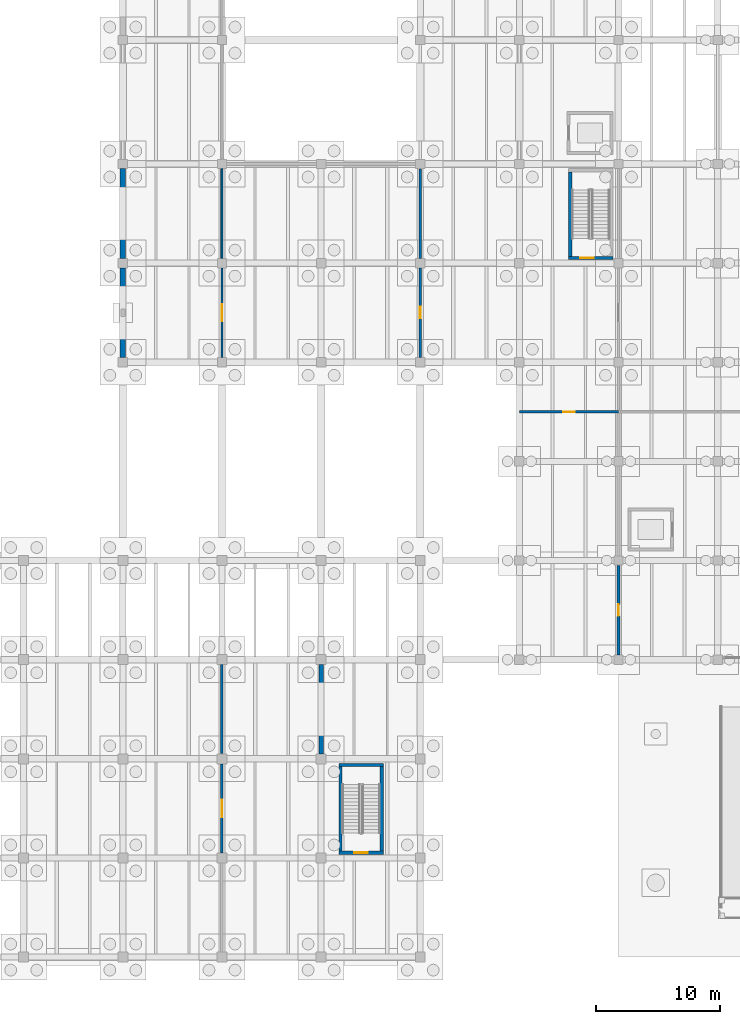
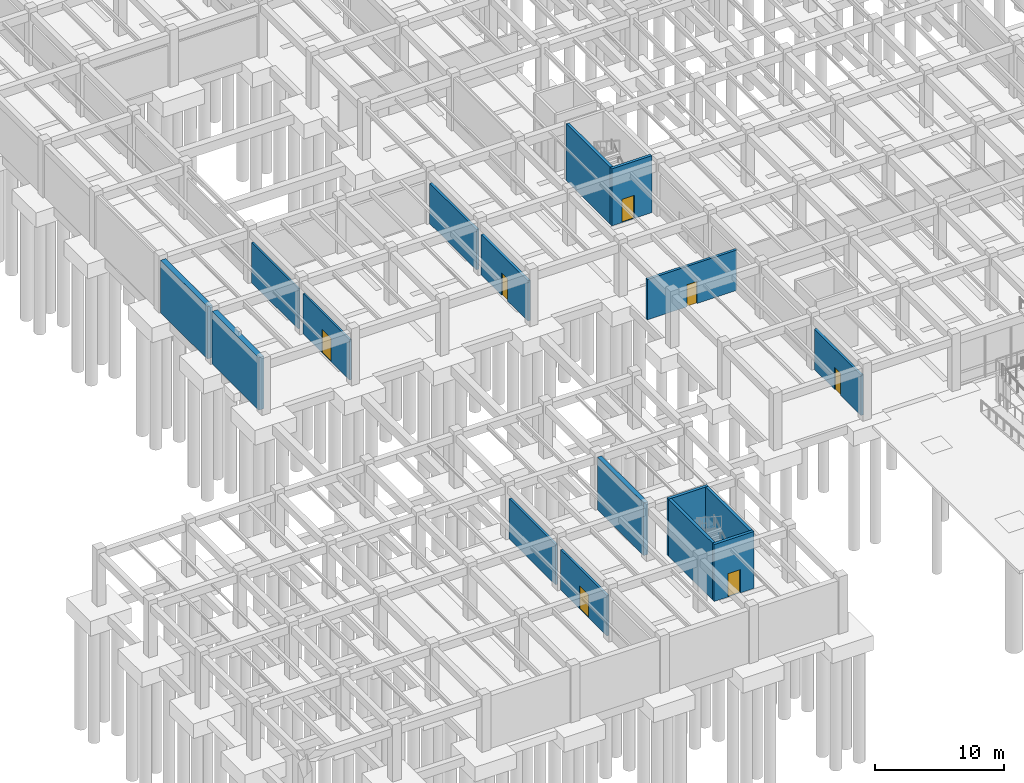
# One storey, part 24 of 44: 17 walls, 7 doors, 7 openings.
"""IFC4 building model written with IfcOpenShell, lengths in metres."""

from ifc_helpers import new_model, si_unit, direction, frame, frame_2d, origin, place, context, subcontext, project, spatial, rectangle, extrude, material, layer, layer_set, type_object, element, fill, save


model = new_model("IFC4")

# Units and contexts
model_context = context("Model", 3, precision=1e-05, world=origin(), true_north=direction((0.0, 1.0)))
body_context = subcontext(model_context, "Body", "Model", "MODEL_VIEW")
ifc_project = project(units=[si_unit("LENGTHUNIT", "METRE"), si_unit("AREAUNIT", "SQUARE_METRE"), si_unit("VOLUMEUNIT", "CUBIC_METRE"), si_unit("PLANEANGLEUNIT", "RADIAN"), si_unit("MASSUNIT", "GRAM", prefix="KILO")], contexts=[model_context])

# Site, building, storey
site_placement = place(None, origin())
site = spatial("IfcSite", under=ifc_project, at=site_placement, CompositionType="ELEMENT")
building_placement = place(site_placement, origin())
building = spatial("IfcBuilding", under=site, at=building_placement, Name="Pecanmere Concourse Central Library", CompositionType="ELEMENT")
storey_placement = place(building_placement, frame((0.0, 0.0, -5.39990234375)))
storey = spatial("IfcBuildingStorey", under=building, at=storey_placement, Name="B1", CompositionType="ELEMENT", Elevation=-5.39990234375)

# Wall, opening, door
ifc_material_1 = material(Name="Fire-rated gypsum board on acoustic steel stud", Category="steel")
ifc_layer_1 = layer(ifc_material_1, 0.159912109375, Name="IW_PART_160")
ifc_layer_set_1 = layer_set([ifc_layer_1], Name="Fire-rated gypsum board on acoustic steel stud")
wall_type_1 = type_object("IfcWallType", Name="IW_PART_160", PredefinedType="PARTITIONING", material=ifc_layer_set_1)
wall_1_placement = place(storey_placement, frame((32.0, 48.385009765625, 0.0), z_axis=(0.0, 0.0, 1.0), x_axis=(0.0, 1.0, 0.0)))
wall_1 = element("IfcWall", 1, at=wall_1_placement, inside=storey, type_object=wall_type_1, Name="Interior Partition B1-0010", PredefinedType="PARTITIONING", context=body_context, shape_type="SweptSolid", body=[
    extrude(rectangle(XDim=7.22998046875, YDim=0.159912109375, at=frame_2d((3.614990234375, 0.0))), origin(), (0.0, 0.0, 1.0), 3.829833984375),
])
opening_1_placement = place(wall_1_placement, frame((2.9150390625, 0.0, 0.0)))
opening_1 = element("IfcOpeningElement", 2, at=opening_1_placement, cuts=wall_1, Name="Opening FD-05", PredefinedType="OPENING", context=body_context, shape_type="SweptSolid", body=[
    extrude(rectangle(XDim=1.39990234375, YDim=2.199951171875, at=frame_2d((0.699951171875, 1.10009765625))), frame((0.0, 0.091796875, 0.0), z_axis=(0.0, -1.0, 0.0), x_axis=(1.0, 0.0, 0.0)), (0.0, 0.0, 1.0), 0.183837890625),
])
ifc_material_2 = material(Name="Painted architectural steel ASTM A36", Category="steel")
door_type_1 = type_object("IfcDoorType", Name="FD-05", OperationType="DOUBLE_DOOR_SINGLE_SWING", PredefinedType="DOOR", material=ifc_material_2)
door_1_placement = place(opening_1_placement, origin())
door_1 = element("IfcDoor", 3, at=door_1_placement, inside=storey, type_object=door_type_1, Name="D-130", OperationType="DOUBLE_DOOR_SINGLE_SWING", OverallHeight=2.199951171875, OverallWidth=1.39990234375, PredefinedType="DOOR", context=body_context, shape_type="SweptSolid", body=[
    extrude(rectangle(XDim=1.39990234375, YDim=2.199951171875, at=frame_2d((0.699951171875, 1.10009765625))), frame((0.0, 0.02490234375, 0.0), z_axis=(0.0, -1.0, 0.0), x_axis=(1.0, 0.0, 0.0)), (0.0, 0.0, 1.0), 0.050048828125),
])
fill(opening_1, door_1)

# Wall
wall_2_placement = place(storey_placement, frame((32.0, 56.385009765625, 0.0), z_axis=(0.0, 0.0, 1.0), x_axis=(0.0, 1.0, 0.0)))
element("IfcWall", 4, at=wall_2_placement, inside=storey, type_object=wall_type_1, Name="Interior Partition B1-0011", PredefinedType="PARTITIONING", context=body_context, shape_type="SweptSolid", body=[
    extrude(rectangle(XDim=7.22998046875, YDim=0.159912109375, at=frame_2d((3.614990234375, 0.0))), origin(), (0.0, 0.0, 1.0), 3.829833984375),
])

# Wall, opening, door
ifc_material_3 = material(Name="Fire-rated gypsum board on acoustic steel stud", Category="steel")
ifc_layer_2 = layer(ifc_material_3, 0.199951171875, Name="IW_PART_200")
ifc_layer_set_2 = layer_set([ifc_layer_2], Name="Fire-rated gypsum board on acoustic steel stud")
wall_type_2 = type_object("IfcWallType", Name="IW_PART_200", PredefinedType="PARTITIONING", material=ifc_layer_set_2)
wall_3_placement = place(storey_placement, frame((32.0, 8.409912109375, 0.0), z_axis=(0.0, 0.0, 1.0), x_axis=(0.0, 1.0, 0.0)))
wall_3 = element("IfcWall", 5, at=wall_3_placement, inside=storey, type_object=wall_type_2, Name="Interior Partition B1-0041", PredefinedType="PARTITIONING", context=body_context, shape_type="SweptSolid", body=[
    extrude(rectangle(XDim=7.18017578125, YDim=0.199951171875, at=frame_2d((3.590087890625, 0.0))), origin(), (0.0, 0.0, 1.0), 3.829833984375),
])
opening_2_placement = place(wall_3_placement, frame((2.889892578125, 0.0, 0.0)))
opening_2 = element("IfcOpeningElement", 6, at=opening_2_placement, cuts=wall_3, Name="Opening FD-05", PredefinedType="OPENING", context=body_context, shape_type="SweptSolid", body=[
    extrude(rectangle(XDim=1.39990234375, YDim=2.199951171875, at=frame_2d((0.699951171875, 1.10009765625))), frame((0.0, 0.11181640625, 0.0), z_axis=(0.0, -1.0, 0.0), x_axis=(1.0, 0.0, 0.0)), (0.0, 0.0, 1.0), 0.223876953125),
])
door_2_placement = place(opening_2_placement, origin())
door_2 = element("IfcDoor", 7, at=door_2_placement, inside=storey, type_object=door_type_1, Name="D-138", OperationType="DOUBLE_DOOR_SINGLE_SWING", OverallHeight=2.199951171875, OverallWidth=1.39990234375, PredefinedType="DOOR", context=body_context, shape_type="SweptSolid", body=[
    extrude(rectangle(XDim=1.39990234375, YDim=2.199951171875, at=frame_2d((0.699951171875, 1.10009765625))), frame((0.0, 0.02490234375, 0.0), z_axis=(0.0, -1.0, 0.0), x_axis=(1.0, 0.0, 0.0)), (0.0, 0.0, 1.0), 0.050048828125),
])
fill(opening_2, door_2)

# Wall
wall_4_placement = place(storey_placement, frame((32.0, 16.409912109375, 0.0), z_axis=(0.0, 0.0, 1.0), x_axis=(0.0, 1.0, 0.0)))
element("IfcWall", 8, at=wall_4_placement, inside=storey, type_object=wall_type_2, Name="Interior Partition B1-0042", PredefinedType="PARTITIONING", context=body_context, shape_type="SweptSolid", body=[
    extrude(rectangle(XDim=7.18017578125, YDim=0.199951171875, at=frame_2d((3.590087890625, 0.0))), origin(), (0.0, 0.0, 1.0), 3.829833984375),
])

# Wall, opening, door
ifc_material_4 = material(Name="Concrete masonry unit ASTM C90", Category="masonry")
ifc_layer_3 = layer(ifc_material_4, 0.22509765625, Name="IW_PLUMB_225")
ifc_layer_set_3 = layer_set([ifc_layer_3], Name="Concrete masonry unit ASTM C90")
wall_type_3 = type_object("IfcWallType", Name="IW_PLUMB_225", PredefinedType="PARTITIONING", material=ifc_layer_set_3)
wall_5_placement = place(storey_placement, frame((48.0, 48.385009765625, 0.0), z_axis=(0.0, 0.0, 1.0), x_axis=(0.0, 1.0, 0.0)))
wall_5 = element("IfcWall", 9, at=wall_5_placement, inside=storey, type_object=wall_type_3, Name="Interior Partition B1-0024", PredefinedType="PARTITIONING", context=body_context, shape_type="SweptSolid", body=[
    extrude(rectangle(XDim=7.22998046875, YDim=0.22509765625, at=frame_2d((3.614990234375, 0.0))), origin(), (0.0, 0.0, 1.0), 3.829833984375),
])
opening_3_placement = place(wall_5_placement, frame((3.155029296875, 0.0, 0.0)))
opening_3 = element("IfcOpeningElement", 10, at=opening_3_placement, cuts=wall_5, Name="Opening DT-07", PredefinedType="OPENING", context=body_context, shape_type="SweptSolid", body=[
    extrude(rectangle(XDim=0.919921875, YDim=2.10009765625, at=frame_2d((0.4599609375, 1.050048828125))), frame((0.0, 0.12451171875, 0.0), z_axis=(0.0, -1.0, 0.0), x_axis=(1.0, 0.0, 0.0)), (0.0, 0.0, 1.0), 0.2490234375),
])
ifc_material_5 = material(Name="Solid white oak architectural joinery")
door_type_2 = type_object("IfcDoorType", Name="DT-07", OperationType="SINGLE_SWING_LEFT", PredefinedType="DOOR", material=ifc_material_5)
door_3_placement = place(opening_3_placement, origin())
door_3 = element("IfcDoor", 11, at=door_3_placement, inside=storey, type_object=door_type_2, Name="D-134", OperationType="SINGLE_SWING_LEFT", OverallHeight=2.10009765625, OverallWidth=0.919921875, PredefinedType="DOOR", context=body_context, shape_type="SweptSolid", body=[
    extrude(rectangle(XDim=0.919921875, YDim=2.10009765625, at=frame_2d((0.4599609375, 1.050048828125))), frame((0.0, 0.02490234375, 0.0), z_axis=(0.0, -1.0, 0.0), x_axis=(1.0, 0.0, 0.0)), (0.0, 0.0, 1.0), 0.050048828125),
])
fill(opening_3, door_3)

# Wall
wall_6_placement = place(storey_placement, frame((48.0, 56.385009765625, 0.0), z_axis=(0.0, 0.0, 1.0), x_axis=(0.0, 1.0, 0.0)))
element("IfcWall", 12, at=wall_6_placement, inside=storey, type_object=wall_type_3, Name="Interior Partition B1-0025", PredefinedType="PARTITIONING", context=body_context, shape_type="SweptSolid", body=[
    extrude(rectangle(XDim=7.22998046875, YDim=0.22509765625, at=frame_2d((3.614990234375, 0.0))), origin(), (0.0, 0.0, 1.0), 3.829833984375),
])

# Wall, opening, door
wall_7_placement = place(storey_placement, frame((56.0, 44.0, 0.0), z_axis=(0.0, 0.0, 1.0), x_axis=(1.0, 0.0, 0.0)))
wall_7 = element("IfcWall", 13, at=wall_7_placement, inside=storey, type_object=wall_type_3, Name="Interior Partition B1-0046", PredefinedType="PARTITIONING", context=body_context, shape_type="SweptSolid", body=[
    extrude(rectangle(XDim=8.0, YDim=0.22509765625, at=frame_2d((4.0, 0.0))), origin(), (0.0, 0.0, 1.0), 3.829833984375),
])
opening_4_placement = place(wall_7_placement, frame((3.5400390625, 0.0, 0.0)))
opening_4 = element("IfcOpeningElement", 14, at=opening_4_placement, cuts=wall_7, Name="Opening DT-07", PredefinedType="OPENING", context=body_context, shape_type="SweptSolid", body=[
    extrude(rectangle(XDim=0.919921875, YDim=2.10009765625, at=frame_2d((0.4599609375, 1.050048828125))), frame((0.0, 0.12451171875, 0.0), z_axis=(0.0, -1.0, 0.0), x_axis=(1.0, 0.0, 0.0)), (0.0, 0.0, 1.0), 0.2490234375),
])
door_4_placement = place(opening_4_placement, origin())
door_4 = element("IfcDoor", 15, at=door_4_placement, inside=storey, type_object=door_type_2, Name="D-140", OperationType="SINGLE_SWING_LEFT", OverallHeight=2.10009765625, OverallWidth=0.919921875, PredefinedType="DOOR", context=body_context, shape_type="SweptSolid", body=[
    extrude(rectangle(XDim=0.919921875, YDim=2.10009765625, at=frame_2d((0.4599609375, 1.050048828125))), frame((0.0, 0.02490234375, 0.0), z_axis=(0.0, -1.0, 0.0), x_axis=(1.0, 0.0, 0.0)), (0.0, 0.0, 1.0), 0.050048828125),
])
fill(opening_4, door_4)

wall_8_placement = place(storey_placement, frame((64.0, 24.385009765625, 0.0), z_axis=(0.0, 0.0, 1.0), x_axis=(0.0, 1.0, 0.0)))
wall_8 = element("IfcWall", 16, at=wall_8_placement, inside=storey, type_object=wall_type_3, Name="Interior Partition B1-0047", PredefinedType="PARTITIONING", context=body_context, shape_type="SweptSolid", body=[
    extrude(rectangle(XDim=7.22998046875, YDim=0.22509765625, at=frame_2d((3.614990234375, 0.0))), origin(), (0.0, 0.0, 1.0), 3.829833984375),
])
opening_5_placement = place(wall_8_placement, frame((3.155029296875, 0.0, 0.0)))
opening_5 = element("IfcOpeningElement", 17, at=opening_5_placement, cuts=wall_8, Name="Opening DT-08", PredefinedType="OPENING", context=body_context, shape_type="SweptSolid", body=[
    extrude(rectangle(XDim=0.919921875, YDim=2.10009765625, at=frame_2d((0.4599609375, 1.050048828125))), frame((0.0, 0.12451171875, 0.0), z_axis=(0.0, -1.0, 0.0), x_axis=(1.0, 0.0, 0.0)), (0.0, 0.0, 1.0), 0.2490234375),
])
ifc_material_6 = material(Name="Solid white oak architectural joinery")
door_type_3 = type_object("IfcDoorType", Name="DT-08", OperationType="SINGLE_SWING_RIGHT", PredefinedType="DOOR", material=ifc_material_6)
door_5_placement = place(opening_5_placement, frame((0.919921875, 0.0, 0.0), z_axis=(0.0, 0.0, 1.0), x_axis=(-1.0, 0.0, 0.0)))
door_5 = element("IfcDoor", 18, at=door_5_placement, inside=storey, type_object=door_type_3, Name="D-141", OperationType="SINGLE_SWING_RIGHT", OverallHeight=2.10009765625, OverallWidth=0.919921875, PredefinedType="DOOR", context=body_context, shape_type="SweptSolid", body=[
    extrude(rectangle(XDim=0.919921875, YDim=2.10009765625, at=frame_2d((0.4599609375, 1.050048828125))), frame((0.0, 0.02490234375, 0.0), z_axis=(0.0, -1.0, 0.0), x_axis=(1.0, 0.0, 0.0)), (0.0, 0.0, 1.0), 0.050048828125),
])
fill(opening_5, door_5)

# Walls
ifc_material_7 = material(Name="Concrete C40/50", Category="concrete")
ifc_layer_4 = layer(ifc_material_7, 0.4599609375, Name="WALL_RET_460")
ifc_layer_set_4 = layer_set([ifc_layer_4], Name="Concrete C40/50")
wall_type_4 = type_object("IfcWallType", Name="WALL_RET_460", PredefinedType="USERDEFINED", material=ifc_layer_set_4)
for number, where, z_axis, x_axis, name in (
    (19, (24.0, 48.375, 0.0), (0.0, 0.0, 1.0), (0.0, 1.0, 0.0), "Basement Retaining Wall B1-005"),
    (20, (24.0, 56.375, 0.0), (0.0, 0.0, 1.0), (0.0, 1.0, 0.0), "Basement Retaining Wall B1-006"),
):
    element("IfcWall", number, at=place(storey_placement, frame(where, z_axis=z_axis, x_axis=x_axis)), inside=storey, type_object=wall_type_4, Name=name, ObjectType="RETAININGWALL", PredefinedType="USERDEFINED", context=body_context, shape_type="SweptSolid", body=[
        extrude(rectangle(XDim=7.25, YDim=0.4599609375, at=frame_2d((3.625, 0.0))), origin(), (0.0, 0.0, 1.0), 4.97998046875),
    ])
ifc_material_8 = material(Name="Concrete C40/50", Category="concrete")
ifc_layer_5 = layer(ifc_material_8, 0.3798828125, Name="WALL_SHR_380")
ifc_layer_set_5 = layer_set([ifc_layer_5], Name="Concrete C40/50")
wall_type_5 = type_object("IfcWallType", Name="WALL_SHR_380", PredefinedType="SHEAR", material=ifc_layer_set_5)
wall_9_placement = place(storey_placement, frame((40.0, 16.39990234375, 0.0), z_axis=(0.0, 0.0, 1.0), x_axis=(0.0, 1.0, 0.0)))
element("IfcWall", 21, at=wall_9_placement, inside=storey, type_object=wall_type_5, Name="Lateral Shear Wall B1-031", PredefinedType="SHEAR", context=body_context, shape_type="SweptSolid", body=[
    extrude(rectangle(XDim=7.2001953125, YDim=0.3798828125, at=frame_2d((3.60009765625, 0.0))), origin(), (0.0, 0.0, 1.0), 4.97998046875),
])

# Wall, opening, door
ifc_material_9 = material(Name="Concrete C40/50", Category="concrete")
ifc_layer_6 = layer(ifc_material_9, 0.260009765625, Name="WALL_SLD_260")
ifc_layer_set_6 = layer_set([ifc_layer_6], Name="Concrete C40/50")
wall_type_6 = type_object("IfcWallType", Name="WALL_SLD_260", PredefinedType="SOLIDWALL", material=ifc_layer_set_6)
wall_10_placement = place(storey_placement, frame((59.97998046875, 56.419921875, 0.0), z_axis=(0.0, 0.0, 1.0), x_axis=(1.0, 0.0, 0.0)))
wall_10 = element("IfcWall", 22, at=wall_10_placement, inside=storey, type_object=wall_type_6, Name="Core C6 South Wall B1", PredefinedType="SOLIDWALL", context=body_context, shape_type="SweptSolid", body=[
    extrude(rectangle(XDim=3.580078125, YDim=0.260009765625, at=frame_2d((1.7900390625, 0.0))), origin(), (0.0, 0.0, 1.0), 5.39990234375),
])
opening_6_placement = place(wall_10_placement, frame((0.919921875, 0.0, 0.0)))
opening_6 = element("IfcOpeningElement", 23, at=opening_6_placement, cuts=wall_10, Name="Opening FD-01", PredefinedType="OPENING", context=body_context, shape_type="SweptSolid", body=[
    extrude(rectangle(XDim=1.10009765625, YDim=2.199951171875, at=frame_2d((0.550048828125, 1.10009765625))), frame((0.0, 0.14208984375, 0.0), z_axis=(0.0, -1.0, 0.0), x_axis=(1.0, 0.0, 0.0)), (0.0, 0.0, 1.0), 0.283935546875),
])
ifc_material_10 = material(Name="Painted architectural steel ASTM A36", Category="steel")
door_type_4 = type_object("IfcDoorType", Name="FD-01", OperationType="SINGLE_SWING_LEFT", PredefinedType="DOOR", material=ifc_material_10)
door_6_placement = place(opening_6_placement, origin())
door_6 = element("IfcDoor", 24, at=door_6_placement, inside=storey, type_object=door_type_4, Name="D-039", OperationType="SINGLE_SWING_LEFT", OverallHeight=2.199951171875, OverallWidth=1.10009765625, PredefinedType="DOOR", context=body_context, shape_type="SweptSolid", body=[
    extrude(rectangle(XDim=1.10009765625, YDim=2.199951171875, at=frame_2d((0.550048828125, 1.10009765625))), frame((0.0, 0.02490234375, 0.0), z_axis=(0.0, -1.0, 0.0), x_axis=(1.0, 0.0, 0.0)), (0.0, 0.0, 1.0), 0.050048828125),
])
fill(opening_6, door_6)

# Wall
wall_11_placement = place(storey_placement, frame((60.110107421875, 56.550048828125, 0.0), z_axis=(0.0, 0.0, 1.0), x_axis=(0.0, 1.0, 0.0)))
element("IfcWall", 25, at=wall_11_placement, inside=storey, type_object=wall_type_6, Name="Core C6 W Wall B1", PredefinedType="SOLIDWALL", context=body_context, shape_type="SweptSolid", body=[
    extrude(rectangle(XDim=6.820068359375, YDim=0.260009765625, at=frame_2d((3.41015625, 0.0))), origin(), (0.0, 0.0, 1.0), 5.39990234375),
])

# Wall, opening, door
wall_12_placement = place(storey_placement, frame((41.43994140625, 8.419921875, 0.0), z_axis=(0.0, 0.0, 1.0), x_axis=(1.0, 0.0, 0.0)))
wall_12 = element("IfcWall", 26, at=wall_12_placement, inside=storey, type_object=wall_type_6, Name="Core C7 South Wall B1", PredefinedType="SOLIDWALL", context=body_context, shape_type="SweptSolid", body=[
    extrude(rectangle(XDim=3.580078125, YDim=0.260009765625, at=frame_2d((1.7900390625, 0.0))), origin(), (0.0, 0.0, 1.0), 5.39990234375),
])
opening_7_placement = place(wall_12_placement, frame((1.239990234375, 0.0, 0.0)))
opening_7 = element("IfcOpeningElement", 27, at=opening_7_placement, cuts=wall_12, Name="Opening FD-02", PredefinedType="OPENING", context=body_context, shape_type="SweptSolid", body=[
    extrude(rectangle(XDim=1.10009765625, YDim=2.199951171875, at=frame_2d((0.550048828125, 1.10009765625))), frame((0.0, 0.14208984375, 0.0), z_axis=(0.0, -1.0, 0.0), x_axis=(1.0, 0.0, 0.0)), (0.0, 0.0, 1.0), 0.283935546875),
])
ifc_material_11 = material(Name="Painted architectural steel ASTM A36", Category="steel")
door_type_5 = type_object("IfcDoorType", Name="FD-02", OperationType="SINGLE_SWING_RIGHT", PredefinedType="DOOR", material=ifc_material_11)
door_7_placement = place(opening_7_placement, origin())
door_7 = element("IfcDoor", 28, at=door_7_placement, inside=storey, type_object=door_type_5, Name="D-045", OperationType="SINGLE_SWING_RIGHT", OverallHeight=2.199951171875, OverallWidth=1.10009765625, PredefinedType="DOOR", context=body_context, shape_type="SweptSolid", body=[
    extrude(rectangle(XDim=1.10009765625, YDim=2.199951171875, at=frame_2d((0.550048828125, 1.10009765625))), frame((0.0, 0.02490234375, 0.0), z_axis=(0.0, -1.0, 0.0), x_axis=(1.0, 0.0, 0.0)), (0.0, 0.0, 1.0), 0.050048828125),
])
fill(opening_7, door_7)

# Walls
wall_13_placement = place(storey_placement, frame((41.43994140625, 15.5, 0.0), z_axis=(0.0, 0.0, 1.0), x_axis=(1.0, 0.0, 0.0)))
element("IfcWall", 29, at=wall_13_placement, inside=storey, type_object=wall_type_6, Name="Core C7 North Wall B1", PredefinedType="SOLIDWALL", context=body_context, shape_type="SweptSolid", body=[
    extrude(rectangle(XDim=3.580078125, YDim=0.260009765625, at=frame_2d((1.7900390625, 0.0))), origin(), (0.0, 0.0, 1.0), 5.39990234375),
])
for number, where, z_axis, x_axis, name in (
    (30, (41.570068359375, 8.550048828125, 0.0), (0.0, 0.0, 1.0), (0.0, 1.0, 0.0), "Core C7 W Wall B1"),
    (31, (44.889892578125, 8.550048828125, 0.0), (0.0, 0.0, 1.0), (0.0, 1.0, 0.0), "Core C7 E Wall B1"),
):
    element("IfcWall", number, at=place(storey_placement, frame(where, z_axis=z_axis, x_axis=x_axis)), inside=storey, type_object=wall_type_6, Name=name, PredefinedType="SOLIDWALL", context=body_context, shape_type="SweptSolid", body=[
        extrude(rectangle(XDim=6.820068359375, YDim=0.260009765625, at=frame_2d((3.41015625, 0.0))), origin(), (0.0, 0.0, 1.0), 5.39990234375),
    ])

save(model, "model.ifc")
